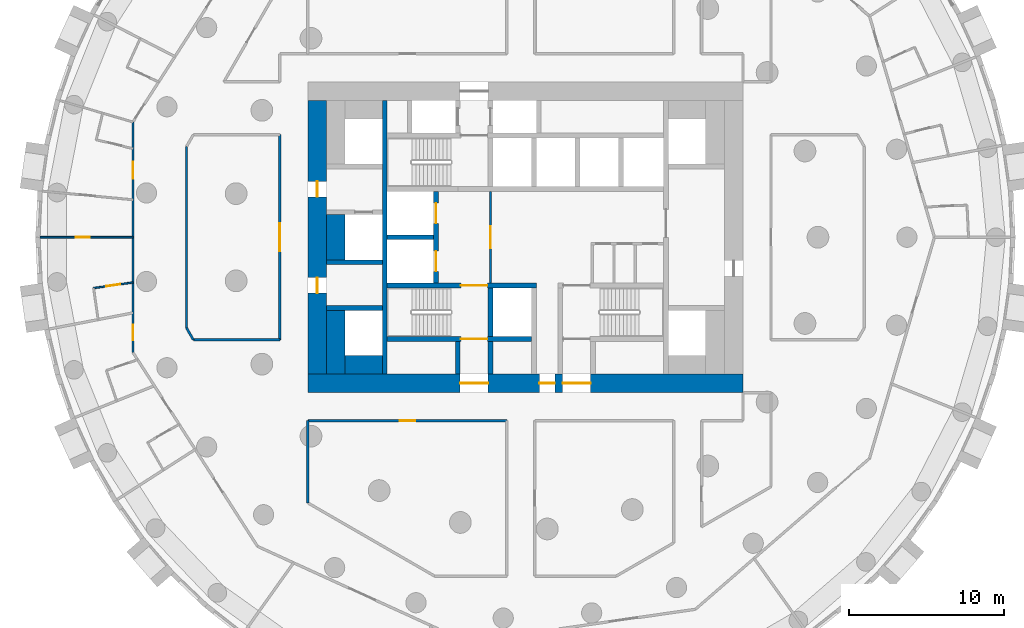
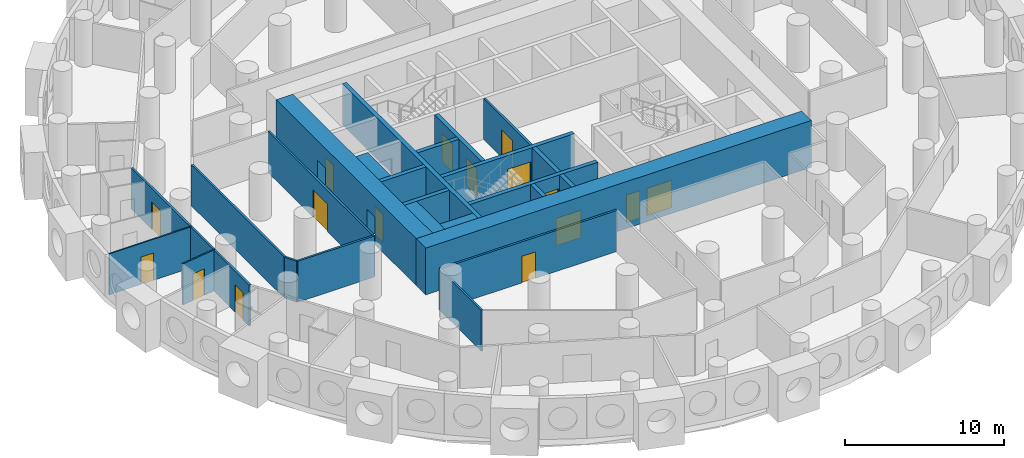
# One storey, part 4 of 12: 25 walls, 16 doors, 16 openings.
"""IFC4 building model written with IfcOpenShell, lengths in metres."""

from ifc_helpers import new_model, si_unit, direction, frame, frame_2d, origin, place, context, subcontext, project, spatial, rectangle, extrude, material, layer, layer_set, type_object, element, fill, save


model = new_model("IFC4")

# Units and contexts
model_context = context("Model", 3, precision=1e-05, world=origin(), true_north=direction((0.0, 1.0)))
body_context = subcontext(model_context, "Body", "Model", "MODEL_VIEW")
ifc_project = project(units=[si_unit("LENGTHUNIT", "METRE"), si_unit("AREAUNIT", "SQUARE_METRE"), si_unit("VOLUMEUNIT", "CUBIC_METRE"), si_unit("PLANEANGLEUNIT", "RADIAN"), si_unit("MASSUNIT", "GRAM", prefix="KILO")], contexts=[model_context])

# Site, building, storey
site_placement = place(None, origin())
site = spatial("IfcSite", under=ifc_project, at=site_placement, CompositionType="ELEMENT")
building_placement = place(site_placement, origin())
building = spatial("IfcBuilding", under=site, at=building_placement, Name="Tracery Tower", CompositionType="ELEMENT")
storey_placement = place(building_placement, frame((0.0, 0.0, 103.800048828125)))
storey = spatial("IfcBuildingStorey", under=building, at=storey_placement, Name="L26", CompositionType="ELEMENT", Elevation=103.800048828125)

# Wall, opening, door
ifc_material_1 = material(Name="Plasterboard on steel studs", Category="steel")
ifc_layer_1 = layer(ifc_material_1, 0.14990234375)
ifc_layer_set_1 = layer_set([ifc_layer_1], Name="Core lobby partition 150")
wall_type_1 = type_object("IfcWallType", Name="Core lobby partition 150", PredefinedType="SOLIDWALL", material=ifc_layer_set_1)
wall_1_placement = place(storey_placement, frame((-2.25, -2.949951171875, 0.0), z_axis=(0.0, 0.0, 1.0), x_axis=(0.0, 1.0, 0.0)))
wall_1 = element("IfcWall", 1, at=wall_1_placement, inside=storey, type_object=wall_type_1, Name="L26 FF lobby E", PredefinedType="SOLIDWALL", context=body_context, shape_type="SweptSolid", body=[
    extrude(rectangle(XDim=5.89990234375, YDim=0.14990234375, at=frame_2d((2.949951171875, 0.0))), origin(), (0.0, 0.0, 1.0), 3.14990234375),
])
opening_1_placement = place(wall_1_placement, frame((2.25, 0.0, 0.0)))
opening_1 = element("IfcOpeningElement", 2, at=opening_1_placement, cuts=wall_1, Name="Opening KD8", PredefinedType="OPENING", context=body_context, shape_type="SweptSolid", body=[
    extrude(rectangle(XDim=1.39990234375, YDim=2.10009765625, at=frame_2d((0.699951171875, 1.050048828125))), frame((0.0, 0.074951171875, 0.0), z_axis=(0.0, -1.0, 0.0), x_axis=(1.0, 0.0, 0.0)), (0.0, 0.0, 1.0), 0.14990234375),
])
ifc_material_2 = material(Name="Steel fire door", Category="steel")
door_type_1 = type_object("IfcDoorType", Name="Core lobby door 1400 double", OperationType="NOTDEFINED", PredefinedType="DOOR", material=ifc_material_2)
door_1_placement = place(opening_1_placement, origin())
door_1 = element("IfcDoor", 3, at=door_1_placement, inside=storey, type_object=door_type_1, Name="Fire-fighting lobby door", OperationType="DOUBLE_DOOR_SINGLE_SWING", OverallHeight=2.10009765625, OverallWidth=1.39990234375, PredefinedType="DOOR", context=body_context, shape_type="SweptSolid", body=[
    extrude(rectangle(XDim=1.39990234375, YDim=2.10009765625, at=frame_2d((0.699951171875, 1.050048828125))), frame((0.0, 0.02490234375, 0.0), z_axis=(0.0, -1.0, 0.0), x_axis=(1.0, 0.0, 0.0)), (0.0, 0.0, 1.0), 0.050048828125),
])
fill(opening_1, door_1)

# Walls
ifc_material_3 = material(Name="Concrete C60/75", Category="concrete")
ifc_layer_2 = layer(ifc_material_3, 1.199951171875)
ifc_layer_set_2 = layer_set([ifc_layer_2], Name="Core strip wall 1200 C60")
wall_type_2 = type_object("IfcWallType", Name="Core strip wall 1200 C60", PredefinedType="SOLIDWALL", material=ifc_layer_set_2)
wall_2_placement = place(storey_placement, frame((-12.199951171875, -8.800048828125, 0.0), z_axis=(0.0, 0.0, 1.0), x_axis=(0.0, 1.0, 0.0)))
element("IfcWall", 4, at=wall_2_placement, inside=storey, type_object=wall_type_2, Name="L26 wing strip -1 -9.4", PredefinedType="SOLIDWALL", context=body_context, shape_type="SweptSolid", body=[
    extrude(rectangle(XDim=4.10009765625, YDim=1.199951171875, at=frame_2d((2.050048828125, 0.0))), origin(), (0.0, 0.0, 1.0), 3.14990234375),
])
wall_3_placement = place(storey_placement, frame((-12.199951171875, -1.449951171875, 0.0), z_axis=(0.0, 0.0, 1.0), x_axis=(0.0, 1.0, 0.0)))
element("IfcWall", 5, at=wall_3_placement, inside=storey, type_object=wall_type_2, Name="L26 wing strip -1 -1.6", PredefinedType="SOLIDWALL", context=body_context, shape_type="SweptSolid", body=[
    extrude(rectangle(XDim=2.89990234375, YDim=1.199951171875, at=frame_2d((1.449951171875, 0.0))), origin(), (0.0, 0.0, 1.0), 3.14990234375),
])
wall_4_placement = place(storey_placement, frame((-11.60009765625, -8.199951171875, 0.0), z_axis=(0.0, 0.0, 1.0), x_axis=(1.0, 0.0, 0.0)))
element("IfcWall", 6, at=wall_4_placement, inside=storey, type_object=wall_type_2, Name="L26 wing corner -1 -8.2", PredefinedType="SOLIDWALL", context=body_context, shape_type="SweptSolid", body=[
    extrude(rectangle(XDim=2.400146484375, YDim=1.199951171875, at=frame_2d((1.2001953125, 0.0))), origin(), (0.0, 0.0, 1.0), 3.14990234375),
])

# Wall, openings, doors
ifc_material_4 = material(Name="Concrete C60/75", Category="concrete")
ifc_layer_3 = layer(ifc_material_4, 1.199951171875)
ifc_layer_set_3 = layer_set([ifc_layer_3], Name="Core wall 1200 C60")
wall_type_3 = type_object("IfcWallType", Name="Core wall 1200 C60", PredefinedType="SOLIDWALL", material=ifc_layer_set_3)
wall_5_placement = place(storey_placement, frame((-14.0, -9.39990234375, 0.0), z_axis=(0.0, 0.0, 1.0), x_axis=(1.0, 0.0, 0.0)))
wall_5 = element("IfcWall", 7, at=wall_5_placement, inside=storey, type_object=wall_type_3, Name="L26 outer S", PredefinedType="SOLIDWALL", context=body_context, shape_type="SweptSolid", body=[
    extrude(rectangle(XDim=28.0, YDim=1.199951171875, at=frame_2d((14.0, 0.0))), origin(), (0.0, 0.0, 1.0), 3.599853515625),
])
opening_2_placement = place(wall_5_placement, frame((14.89990234375, 0.0, 0.0)))
opening_2 = element("IfcOpeningElement", 8, at=opening_2_placement, cuts=wall_5, Name="Opening KD16", PredefinedType="OPENING", context=body_context, shape_type="SweptSolid", body=[
    extrude(rectangle(XDim=1.0, YDim=2.10009765625, at=frame_2d((0.5, 1.050048828125))), frame((0.0, 0.60009765625, 0.0), z_axis=(0.0, -1.0, 0.0), x_axis=(1.0, 0.0, 0.0)), (0.0, 0.0, 1.0), 1.199951171875),
])
opening_3_placement = place(wall_5_placement, frame((9.800048828125, 0.0, 0.0)))
opening_3 = element("IfcOpeningElement", 9, at=opening_3_placement, cuts=wall_5, Name="Opening KD13", PredefinedType="OPENING", context=body_context, shape_type="SweptSolid", body=[
    extrude(rectangle(XDim=1.800048828125, YDim=2.10009765625, at=frame_2d((0.89990234375, 1.050048828125))), frame((0.0, 0.60009765625, 0.0), z_axis=(0.0, -1.0, 0.0), x_axis=(1.0, 0.0, 0.0)), (0.0, 0.0, 1.0), 1.199951171875),
])
opening_4_placement = place(wall_5_placement, frame((16.39990234375, 0.0, 0.0)))
opening_4 = element("IfcOpeningElement", 10, at=opening_4_placement, cuts=wall_5, Name="Opening KD13", PredefinedType="OPENING", context=body_context, shape_type="SweptSolid", body=[
    extrude(rectangle(XDim=1.800048828125, YDim=2.10009765625, at=frame_2d((0.89990234375, 1.050048828125))), frame((0.0, 0.60009765625, 0.0), z_axis=(0.0, -1.0, 0.0), x_axis=(1.0, 0.0, 0.0)), (0.0, 0.0, 1.0), 1.199951171875),
])
ifc_material_5 = material(Name="Steel fire door", Category="steel")
door_type_2 = type_object("IfcDoorType", Name="Core exit door 1000", OperationType="NOTDEFINED", PredefinedType="DOOR", material=ifc_material_5)
door_2_placement = place(opening_2_placement, origin())
door_2 = element("IfcDoor", 11, at=door_2_placement, inside=storey, type_object=door_type_2, Name="Core exit door", OperationType="SINGLE_SWING_LEFT", OverallHeight=2.10009765625, OverallWidth=1.0, PredefinedType="DOOR", context=body_context, shape_type="SweptSolid", body=[
    extrude(rectangle(XDim=1.0, YDim=2.10009765625, at=frame_2d((0.5, 1.050048828125))), frame((0.0, 0.02490234375, 0.0), z_axis=(0.0, -1.0, 0.0), x_axis=(1.0, 0.0, 0.0)), (0.0, 0.0, 1.0), 0.050048828125),
])
fill(opening_2, door_2)
ifc_material_6 = material(Name="Steel fire door", Category="steel")
door_type_3 = type_object("IfcDoorType", Name="Core exit door 1800 double", OperationType="NOTDEFINED", PredefinedType="DOOR", material=ifc_material_6)
door_3_placement = place(opening_3_placement, origin())
door_3 = element("IfcDoor", 12, at=door_3_placement, inside=storey, type_object=door_type_3, Name="Core exit door", OperationType="DOUBLE_DOOR_SINGLE_SWING", OverallHeight=2.10009765625, OverallWidth=1.800048828125, PredefinedType="DOOR", context=body_context, shape_type="SweptSolid", body=[
    extrude(rectangle(XDim=1.800048828125, YDim=2.10009765625, at=frame_2d((0.89990234375, 1.050048828125))), frame((0.0, 0.02490234375, 0.0), z_axis=(0.0, -1.0, 0.0), x_axis=(1.0, 0.0, 0.0)), (0.0, 0.0, 1.0), 0.050048828125),
])
fill(opening_3, door_3)
door_4_placement = place(opening_4_placement, origin())
door_4 = element("IfcDoor", 13, at=door_4_placement, inside=storey, type_object=door_type_3, Name="Core exit door", OperationType="DOUBLE_DOOR_SINGLE_SWING", OverallHeight=2.10009765625, OverallWidth=1.800048828125, PredefinedType="DOOR", context=body_context, shape_type="SweptSolid", body=[
    extrude(rectangle(XDim=1.800048828125, YDim=2.10009765625, at=frame_2d((0.89990234375, 1.050048828125))), frame((0.0, 0.02490234375, 0.0), z_axis=(0.0, -1.0, 0.0), x_axis=(1.0, 0.0, 0.0)), (0.0, 0.0, 1.0), 0.050048828125),
])
fill(opening_4, door_4)

wall_6_placement = place(storey_placement, frame((-13.39990234375, -8.800048828125, 0.0), z_axis=(0.0, 0.0, 1.0), x_axis=(0.0, 1.0, 0.0)))
wall_6 = element("IfcWall", 14, at=wall_6_placement, inside=storey, type_object=wall_type_3, Name="L26 outer W", PredefinedType="SOLIDWALL", context=body_context, shape_type="SweptSolid", body=[
    extrude(rectangle(XDim=17.60009765625, YDim=1.199951171875, at=frame_2d((8.800048828125, 0.0))), origin(), (0.0, 0.0, 1.0), 3.599853515625),
])
opening_5_placement = place(wall_6_placement, frame((5.199951171875, 0.0, 0.0)))
opening_5 = element("IfcOpeningElement", 15, at=opening_5_placement, cuts=wall_6, Name="Opening KD18", PredefinedType="OPENING", context=body_context, shape_type="SweptSolid", body=[
    extrude(rectangle(XDim=1.0, YDim=2.10009765625, at=frame_2d((0.5, 1.050048828125))), frame((0.0, 0.60009765625, 0.0), z_axis=(0.0, -1.0, 0.0), x_axis=(1.0, 0.0, 0.0)), (0.0, 0.0, 1.0), 1.199951171875),
])
opening_6_placement = place(wall_6_placement, frame((11.39990234375, 0.0, 0.0)))
opening_6 = element("IfcOpeningElement", 16, at=opening_6_placement, cuts=wall_6, Name="Opening KD18", PredefinedType="OPENING", context=body_context, shape_type="SweptSolid", body=[
    extrude(rectangle(XDim=1.0, YDim=2.10009765625, at=frame_2d((0.5, 1.050048828125))), frame((0.0, 0.60009765625, 0.0), z_axis=(0.0, -1.0, 0.0), x_axis=(1.0, 0.0, 0.0)), (0.0, 0.0, 1.0), 1.199951171875),
])
door_5_placement = place(opening_5_placement, origin())
door_5 = element("IfcDoor", 17, at=door_5_placement, inside=storey, type_object=door_type_2, Name="Core exit door", OperationType="DOUBLE_DOOR_SINGLE_SWING", OverallHeight=2.10009765625, OverallWidth=1.0, PredefinedType="DOOR", context=body_context, shape_type="SweptSolid", body=[
    extrude(rectangle(XDim=1.0, YDim=2.10009765625, at=frame_2d((0.5, 1.050048828125))), frame((0.0, 0.02490234375, 0.0), z_axis=(0.0, -1.0, 0.0), x_axis=(1.0, 0.0, 0.0)), (0.0, 0.0, 1.0), 0.050048828125),
])
fill(opening_5, door_5)
door_6_placement = place(opening_6_placement, origin())
door_6 = element("IfcDoor", 18, at=door_6_placement, inside=storey, type_object=door_type_2, Name="Core exit door", OperationType="DOUBLE_DOOR_SINGLE_SWING", OverallHeight=2.10009765625, OverallWidth=1.0, PredefinedType="DOOR", context=body_context, shape_type="SweptSolid", body=[
    extrude(rectangle(XDim=1.0, YDim=2.10009765625, at=frame_2d((0.5, 1.050048828125))), frame((0.0, 0.02490234375, 0.0), z_axis=(0.0, -1.0, 0.0), x_axis=(1.0, 0.0, 0.0)), (0.0, 0.0, 1.0), 0.050048828125),
])
fill(opening_6, door_6)

# Wall, opening, door
ifc_material_7 = material(Name="Plasterboard on steel studs", Category="steel")
ifc_layer_4 = layer(ifc_material_7, 0.10009765625)
ifc_layer_set_4 = layer_set([ifc_layer_4], Name="Partition 100 stud")
wall_type_4 = type_object("IfcWallType", Name="Partition 100 stud", PredefinedType="PARTITIONING", material=ifc_layer_set_4)
wall_7_placement = place(storey_placement, frame((-31.22412109375, 0.0, 0.0), z_axis=(0.0, 0.0, 1.0), x_axis=(1.0, 0.0, 0.0)))
wall_7 = element("IfcWall", 19, at=wall_7_placement, inside=storey, type_object=wall_type_4, Name="Stud partition RA8-099", PredefinedType="PARTITIONING", context=body_context, shape_type="SweptSolid", body=[
    extrude(rectangle(XDim=5.97119140625, YDim=0.10009765625, at=frame_2d((2.985595703125, 0.0))), origin(), (0.0, 0.0, 1.0), 3.14990234375),
])
opening_7_placement = place(wall_7_placement, frame((2.302001953125, 0.0, 0.0)))
opening_7 = element("IfcOpeningElement", 20, at=opening_7_placement, cuts=wall_7, Name="Opening RA8-38", PredefinedType="OPENING", context=body_context, shape_type="SweptSolid", body=[
    extrude(rectangle(XDim=0.89990234375, YDim=2.10009765625, at=frame_2d((0.449951171875, 1.050048828125))), frame((0.0, 0.050048828125, 0.0), z_axis=(0.0, -1.0, 0.0), x_axis=(1.0, 0.0, 0.0)), (0.0, 0.0, 1.0), 0.10009765625),
])
ifc_material_8 = material(Name="Timber door leaf", Category="wood")
door_type_4 = type_object("IfcDoorType", Name="Door bedroom 900", OperationType="NOTDEFINED", PredefinedType="DOOR", material=ifc_material_8)
door_7_placement = place(opening_7_placement, origin())
door_7 = element("IfcDoor", 21, at=door_7_placement, inside=storey, type_object=door_type_4, Name="Bedroom door RA8-38", OperationType="SINGLE_SWING_RIGHT", OverallHeight=2.10009765625, OverallWidth=0.89990234375, PredefinedType="DOOR", context=body_context, shape_type="SweptSolid", body=[
    extrude(rectangle(XDim=0.89990234375, YDim=2.10009765625, at=frame_2d((0.449951171875, 1.050048828125))), frame((0.0, 0.02490234375, 0.0), z_axis=(0.0, -1.0, 0.0), x_axis=(1.0, 0.0, 0.0)), (0.0, 0.0, 1.0), 0.050048828125),
])
fill(opening_7, door_7)

ifc_material_9 = material(Name="Plasterboard on steel studs", Category="steel")
ifc_layer_5 = layer(ifc_material_9, 0.10009765625)
ifc_layer_set_5 = layer_set([ifc_layer_5], Name="Partition 100 wet wall")
wall_type_5 = type_object("IfcWallType", Name="Partition 100 wet wall", PredefinedType="PARTITIONING", material=ifc_layer_set_5)
wall_8_placement = place(storey_placement, frame((-27.784912109375, -3.27294921875, 0.0), z_axis=(0.0, 0.0, 1.0), x_axis=(0.989823118164, 0.142303178978, 0.0)))
wall_8 = element("IfcWall", 22, at=wall_8_placement, inside=storey, type_object=wall_type_5, Name="Wet wall RA8-103", PredefinedType="PARTITIONING", context=body_context, shape_type="SweptSolid", body=[
    extrude(rectangle(XDim=2.55810546875, YDim=0.10009765625, at=frame_2d((1.279052734375, 0.0))), origin(), (0.0, 0.0, 1.0), 3.14990234375),
])
opening_8_placement = place(wall_8_placement, frame((0.8291015625, 0.0, 0.0)))
opening_8 = element("IfcOpeningElement", 23, at=opening_8_placement, cuts=wall_8, Name="Opening RA8-39", PredefinedType="OPENING", context=body_context, shape_type="SweptSolid", body=[
    extrude(rectangle(XDim=0.89990234375, YDim=2.0400390625, at=frame_2d((0.449951171875, 1.02001953125))), frame((0.0, 0.050048828125, 0.0), z_axis=(0.0, -1.0, 0.0), x_axis=(1.0, 0.0, 0.0)), (0.0, 0.0, 1.0), 0.10009765625),
])
ifc_material_10 = material(Name="Timber door leaf", Category="wood")
door_type_5 = type_object("IfcDoorType", Name="Door en-suite 900", OperationType="NOTDEFINED", PredefinedType="DOOR", material=ifc_material_10)
door_8_placement = place(opening_8_placement, origin())
door_8 = element("IfcDoor", 24, at=door_8_placement, inside=storey, type_object=door_type_5, Name="En-suite door RA8-39", OperationType="SINGLE_SWING_LEFT", OverallHeight=2.0400390625, OverallWidth=0.89990234375, PredefinedType="DOOR", context=body_context, shape_type="SweptSolid", body=[
    extrude(rectangle(XDim=0.89990234375, YDim=2.0400390625, at=frame_2d((0.449951171875, 1.02001953125))), frame((0.0, 0.02490234375, 0.0), z_axis=(0.0, -1.0, 0.0), x_axis=(1.0, 0.0, 0.0)), (0.0, 0.0, 1.0), 0.050048828125),
])
fill(opening_8, door_8)

ifc_material_11 = material(Name="Plasterboard on steel studs", Category="steel")
ifc_layer_6 = layer(ifc_material_11, 0.14990234375)
ifc_layer_set_6 = layer_set([ifc_layer_6], Name="Partition 150 corridor wall")
wall_type_6 = type_object("IfcWallType", Name="Partition 150 corridor wall", PredefinedType="PARTITIONING", material=ifc_layer_set_6)
wall_9_placement = place(storey_placement, frame((-14.00390625, -11.800048828125, 0.0), z_axis=(0.0, 0.0, 1.0), x_axis=(1.0, 0.0, 0.0)))
wall_9 = element("IfcWall", 25, at=wall_9_placement, inside=storey, type_object=wall_type_6, Name="Corridor wall RA8-006", PredefinedType="PARTITIONING", context=body_context, shape_type="SweptSolid", body=[
    extrude(rectangle(XDim=12.81591796875, YDim=0.14990234375, at=frame_2d((6.407958984375, 0.0))), origin(), (0.0, 0.0, 1.0), 3.14990234375),
])
opening_9_placement = place(wall_9_placement, frame((5.907958984375, 0.0, 0.0)))
opening_9 = element("IfcOpeningElement", 26, at=opening_9_placement, cuts=wall_9, Name="Opening RA8-04", PredefinedType="OPENING", context=body_context, shape_type="SweptSolid", body=[
    extrude(rectangle(XDim=1.0, YDim=2.0400390625, at=frame_2d((0.5, 1.02001953125))), frame((0.0, 0.074951171875, 0.0), z_axis=(0.0, -1.0, 0.0), x_axis=(1.0, 0.0, 0.0)), (0.0, 0.0, 1.0), 0.14990234375),
])
ifc_material_12 = material(Name="Timber door leaf", Category="wood")
door_type_6 = type_object("IfcDoorType", Name="Door communal room 1000", OperationType="NOTDEFINED", PredefinedType="DOOR", material=ifc_material_12)
door_9_placement = place(opening_9_placement, origin())
door_9 = element("IfcDoor", 27, at=door_9_placement, inside=storey, type_object=door_type_6, Name="Communal room door RA8-04", OperationType="SINGLE_SWING_RIGHT", OverallHeight=2.0400390625, OverallWidth=1.0, PredefinedType="DOOR", context=body_context, shape_type="SweptSolid", body=[
    extrude(rectangle(XDim=1.0, YDim=2.0400390625, at=frame_2d((0.5, 1.02001953125))), frame((0.0, 0.02490234375, 0.0), z_axis=(0.0, -1.0, 0.0), x_axis=(1.0, 0.0, 0.0)), (0.0, 0.0, 1.0), 0.050048828125),
])
fill(opening_9, door_9)

wall_10_placement = place(storey_placement, frame((-15.800048828125, -6.60400390625, 0.0), z_axis=(0.0, 0.0, 1.0), x_axis=(0.0, 1.0, 0.0)))
wall_10 = element("IfcWall", 28, at=wall_10_placement, inside=storey, type_object=wall_type_6, Name="Corridor wall RA8-013", PredefinedType="PARTITIONING", context=body_context, shape_type="SweptSolid", body=[
    extrude(rectangle(XDim=13.2080078125, YDim=0.14990234375, at=frame_2d((6.60400390625, 0.0))), origin(), (0.0, 0.0, 1.0), 3.14990234375),
])
opening_10_placement = place(wall_10_placement, frame((5.7041015625, 0.0, 0.0)))
opening_10 = element("IfcOpeningElement", 29, at=opening_10_placement, cuts=wall_10, Name="Opening RA8-08", PredefinedType="OPENING", context=body_context, shape_type="SweptSolid", body=[
    extrude(rectangle(XDim=1.800048828125, YDim=2.10009765625, at=frame_2d((0.89990234375, 1.050048828125))), frame((0.0, 0.074951171875, 0.0), z_axis=(0.0, -1.0, 0.0), x_axis=(1.0, 0.0, 0.0)), (0.0, 0.0, 1.0), 0.14990234375),
])
ifc_material_13 = material(Name="Timber door leaf", Category="wood")
door_type_7 = type_object("IfcDoorType", Name="Door double lounge 1800", OperationType="NOTDEFINED", PredefinedType="DOOR", material=ifc_material_13)
door_10_placement = place(opening_10_placement, origin())
door_10 = element("IfcDoor", 30, at=door_10_placement, inside=storey, type_object=door_type_7, Name="Double lounge door RA8-08", OperationType="DOUBLE_DOOR_SINGLE_SWING", OverallHeight=2.10009765625, OverallWidth=1.800048828125, PredefinedType="DOOR", context=body_context, shape_type="SweptSolid", body=[
    extrude(rectangle(XDim=1.800048828125, YDim=2.10009765625, at=frame_2d((0.89990234375, 1.050048828125))), frame((0.0, 0.02490234375, 0.0), z_axis=(0.0, -1.0, 0.0), x_axis=(1.0, 0.0, 0.0)), (0.0, 0.0, 1.0), 0.050048828125),
])
fill(opening_10, door_10)

# Walls
wall_11_placement = place(storey_placement, frame((-14.0, -17.092041015625, 0.0), z_axis=(0.0, 0.0, 1.0), x_axis=(0.0, 1.0, 0.0)))
element("IfcWall", 31, at=wall_11_placement, inside=storey, type_object=wall_type_6, Name="Corridor wall RA8-037", PredefinedType="PARTITIONING", context=body_context, shape_type="SweptSolid", body=[
    extrude(rectangle(XDim=5.2919921875, YDim=0.14990234375, at=frame_2d((2.64599609375, 0.0))), origin(), (0.0, 0.0, 1.0), 3.14990234375),
])
wall_12_placement = place(storey_placement, frame((-21.802001953125, -5.842041015625, 0.0), z_axis=(0.0, 0.0, 1.0), x_axis=(0.0, 1.0, 0.0)))
element("IfcWall", 32, at=wall_12_placement, inside=storey, type_object=wall_type_6, Name="Corridor wall RA8-040", PredefinedType="PARTITIONING", context=body_context, shape_type="SweptSolid", body=[
    extrude(rectangle(XDim=11.68408203125, YDim=0.14990234375, at=frame_2d((5.842041015625, 0.0))), origin(), (0.0, 0.0, 1.0), 3.14990234375),
])
wall_13_placement = place(storey_placement, frame((-21.802001953125, -5.842041015625, 0.0), z_axis=(0.0, 0.0, 1.0), x_axis=(0.500277597875, -0.865865073245, 0.0)))
element("IfcWall", 33, at=wall_13_placement, inside=storey, type_object=wall_type_6, Name="Corridor wall RA8-041", PredefinedType="PARTITIONING", context=body_context, shape_type="SweptSolid", body=[
    extrude(rectangle(XDim=0.87548828125, YDim=0.14990234375, at=frame_2d((0.437744140625, 0.0))), origin(), (0.0, 0.0, 1.0), 3.14990234375),
])
wall_14_placement = place(storey_placement, frame((-21.364013671875, -6.60009765625, 0.0), z_axis=(0.0, 0.0, 1.0), x_axis=(1.0, 0.0, 0.0)))
element("IfcWall", 34, at=wall_14_placement, inside=storey, type_object=wall_type_6, Name="Corridor wall RA8-042", PredefinedType="PARTITIONING", context=body_context, shape_type="SweptSolid", body=[
    extrude(rectangle(XDim=5.56396484375, YDim=0.14990234375, at=frame_2d((2.781982421875, 0.0))), origin(), (0.0, 0.0, 1.0), 3.14990234375),
])

# Wall, openings, doors
wall_15_placement = place(storey_placement, frame((-25.2529296875, -7.4150390625, 0.0), z_axis=(0.0, 0.0, 1.0), x_axis=(0.0, 1.0, 0.0)))
wall_15 = element("IfcWall", 35, at=wall_15_placement, inside=storey, type_object=wall_type_6, Name="Corridor wall RA8-045", PredefinedType="PARTITIONING", context=body_context, shape_type="SweptSolid", body=[
    extrude(rectangle(XDim=14.830078125, YDim=0.14990234375, at=frame_2d((7.4150390625, 0.0))), origin(), (0.0, 0.0, 1.0), 3.14990234375),
])
opening_11_placement = place(wall_15_placement, frame((11.169921875, 0.0, 0.0)))
opening_11 = element("IfcOpeningElement", 36, at=opening_11_placement, cuts=wall_15, Name="Opening RA8-33", PredefinedType="OPENING", context=body_context, shape_type="SweptSolid", body=[
    extrude(rectangle(XDim=1.10009765625, YDim=2.10009765625, at=frame_2d((0.550048828125, 1.050048828125))), frame((0.0, 0.074951171875, 0.0), z_axis=(0.0, -1.0, 0.0), x_axis=(1.0, 0.0, 0.0)), (0.0, 0.0, 1.0), 0.14990234375),
])
opening_12_placement = place(wall_15_placement, frame((0.77587890625, 0.0, 0.0)))
opening_12 = element("IfcOpeningElement", 37, at=opening_12_placement, cuts=wall_15, Name="Opening RA8-41", PredefinedType="OPENING", context=body_context, shape_type="SweptSolid", body=[
    extrude(rectangle(XDim=1.0, YDim=2.10009765625, at=frame_2d((0.5, 1.050048828125))), frame((0.0, 0.074951171875, 0.0), z_axis=(0.0, -1.0, 0.0), x_axis=(1.0, 0.0, 0.0)), (0.0, 0.0, 1.0), 0.14990234375),
])
ifc_material_14 = material(Name="Timber door leaf", Category="wood")
door_type_8 = type_object("IfcDoorType", Name="Door cluster entrance 1100", OperationType="NOTDEFINED", PredefinedType="DOOR", material=ifc_material_14)
door_11_placement = place(opening_11_placement, origin())
door_11 = element("IfcDoor", 38, at=door_11_placement, inside=storey, type_object=door_type_8, Name="Cluster entrance door RA8-33", OperationType="SINGLE_SWING_RIGHT", OverallHeight=2.10009765625, OverallWidth=1.10009765625, PredefinedType="DOOR", context=body_context, shape_type="SweptSolid", body=[
    extrude(rectangle(XDim=1.10009765625, YDim=2.10009765625, at=frame_2d((0.550048828125, 1.050048828125))), frame((0.0, 0.02490234375, 0.0), z_axis=(0.0, -1.0, 0.0), x_axis=(1.0, 0.0, 0.0)), (0.0, 0.0, 1.0), 0.050048828125),
])
fill(opening_11, door_11)
ifc_material_15 = material(Name="Timber door leaf", Category="wood")
door_type_9 = type_object("IfcDoorType", Name="Door unit entrance 1000", OperationType="NOTDEFINED", PredefinedType="DOOR", material=ifc_material_15)
door_12_placement = place(opening_12_placement, origin())
door_12 = element("IfcDoor", 39, at=door_12_placement, inside=storey, type_object=door_type_9, Name="Unit entrance door RA8-41", OperationType="SINGLE_SWING_RIGHT", OverallHeight=2.10009765625, OverallWidth=1.0, PredefinedType="DOOR", context=body_context, shape_type="SweptSolid", body=[
    extrude(rectangle(XDim=1.0, YDim=2.10009765625, at=frame_2d((0.5, 1.050048828125))), frame((0.0, 0.02490234375, 0.0), z_axis=(0.0, -1.0, 0.0), x_axis=(1.0, 0.0, 0.0)), (0.0, 0.0, 1.0), 0.050048828125),
])
fill(opening_12, door_12)

# Wall
ifc_material_16 = material(Name="Concrete C60/75", Category="concrete")
ifc_layer_7 = layer(ifc_material_16, 0.300048828125)
ifc_layer_set_7 = layer_set([ifc_layer_7], Name="Shaft wall 300 C60")
wall_type_7 = type_object("IfcWallType", Name="Shaft wall 300 C60", PredefinedType="SOLIDWALL", material=ifc_layer_set_7)
wall_16_placement = place(storey_placement, frame((-8.89990234375, 0.0, 0.0), z_axis=(0.0, 0.0, 1.0), x_axis=(1.0, 0.0, 0.0)))
element("IfcWall", 40, at=wall_16_placement, inside=storey, type_object=wall_type_7, Name="L26 FF split", PredefinedType="SOLIDWALL", context=body_context, shape_type="SweptSolid", body=[
    extrude(rectangle(XDim=3.0, YDim=0.300048828125, at=frame_2d((1.5, 0.0))), origin(), (0.0, 0.0, 1.0), 3.14990234375),
])

# Wall, openings, doors
wall_17_placement = place(storey_placement, frame((-5.75, -2.949951171875, 0.0), z_axis=(0.0, 0.0, 1.0), x_axis=(0.0, 1.0, 0.0)))
wall_17 = element("IfcWall", 41, at=wall_17_placement, inside=storey, type_object=wall_type_7, Name="L26 FF doors", PredefinedType="SOLIDWALL", context=body_context, shape_type="SweptSolid", body=[
    extrude(rectangle(XDim=5.89990234375, YDim=0.300048828125, at=frame_2d((2.949951171875, 0.0))), origin(), (0.0, 0.0, 1.0), 3.14990234375),
])
opening_13_placement = place(wall_17_placement, frame((0.75, 0.0, 0.0)))
opening_13 = element("IfcOpeningElement", 42, at=opening_13_placement, cuts=wall_17, Name="Opening KD54", PredefinedType="OPENING", context=body_context, shape_type="SweptSolid", body=[
    extrude(rectangle(XDim=1.300048828125, YDim=2.10009765625, at=frame_2d((0.64990234375, 1.050048828125))), frame((0.0, 0.14990234375, 0.0), z_axis=(0.0, -1.0, 0.0), x_axis=(1.0, 0.0, 0.0)), (0.0, 0.0, 1.0), 0.300048828125),
])
opening_14_placement = place(wall_17_placement, frame((3.85009765625, 0.0, 0.0)))
opening_14 = element("IfcOpeningElement", 43, at=opening_14_placement, cuts=wall_17, Name="Opening KD55", PredefinedType="OPENING", context=body_context, shape_type="SweptSolid", body=[
    extrude(rectangle(XDim=1.300048828125, YDim=2.10009765625, at=frame_2d((0.64990234375, 1.050048828125))), frame((0.0, 0.14990234375, 0.0), z_axis=(0.0, -1.0, 0.0), x_axis=(1.0, 0.0, 0.0)), (0.0, 0.0, 1.0), 0.300048828125),
])
ifc_material_17 = material(Name="Steel fire door", Category="steel")
door_type_10 = type_object("IfcDoorType", Name="Landing door FF 1300", OperationType="NOTDEFINED", PredefinedType="DOOR", material=ifc_material_17)
door_13_placement = place(opening_13_placement, origin())
door_13 = element("IfcDoor", 44, at=door_13_placement, inside=storey, type_object=door_type_10, Name="Landing door FF1", OperationType="SLIDING_TO_LEFT", OverallHeight=2.10009765625, OverallWidth=1.300048828125, PredefinedType="DOOR", context=body_context, shape_type="SweptSolid", body=[
    extrude(rectangle(XDim=1.300048828125, YDim=2.10009765625, at=frame_2d((0.64990234375, 1.050048828125))), frame((0.0, 0.02490234375, 0.0), z_axis=(0.0, -1.0, 0.0), x_axis=(1.0, 0.0, 0.0)), (0.0, 0.0, 1.0), 0.050048828125),
])
fill(opening_13, door_13)
door_14_placement = place(opening_14_placement, origin())
door_14 = element("IfcDoor", 45, at=door_14_placement, inside=storey, type_object=door_type_10, Name="Landing door FF2", OperationType="SLIDING_TO_RIGHT", OverallHeight=2.10009765625, OverallWidth=1.300048828125, PredefinedType="DOOR", context=body_context, shape_type="SweptSolid", body=[
    extrude(rectangle(XDim=1.300048828125, YDim=2.10009765625, at=frame_2d((0.64990234375, 1.050048828125))), frame((0.0, 0.02490234375, 0.0), z_axis=(0.0, -1.0, 0.0), x_axis=(1.0, 0.0, 0.0)), (0.0, 0.0, 1.0), 0.050048828125),
])
fill(opening_14, door_14)

# Walls
wall_18_placement = place(storey_placement, frame((-4.35009765625, -8.800048828125, 0.0), z_axis=(0.0, 0.0, 1.0), x_axis=(0.0, 1.0, 0.0)))
element("IfcWall", 46, at=wall_18_placement, inside=storey, type_object=wall_type_7, Name="L26 band S -4.35", PredefinedType="SOLIDWALL", context=body_context, shape_type="SweptSolid", body=[
    extrude(rectangle(XDim=2.10009765625, YDim=0.300048828125, at=frame_2d((1.050048828125, 0.0))), origin(), (0.0, 0.0, 1.0), 3.14990234375),
])
for number, where, z_axis, x_axis, name in (
    (47, (-12.800048828125, -4.550048828125, 0.0), (0.0, 0.0, 1.0), (1.0, 0.0, 0.0), "L26 wing shaft wall -1 -4.55"),
    (48, (-12.800048828125, -1.60009765625, 0.0), (0.0, 0.0, 1.0), (1.0, 0.0, 0.0), "L26 wing shaft wall -1 -1.60"),
):
    element("IfcWall", number, at=place(storey_placement, frame(where, z_axis=z_axis, x_axis=x_axis)), inside=storey, type_object=wall_type_7, Name=name, PredefinedType="SOLIDWALL", context=body_context, shape_type="SweptSolid", body=[
        extrude(rectangle(XDim=3.60009765625, YDim=0.300048828125, at=frame_2d((1.800048828125, 0.0))), origin(), (0.0, 0.0, 1.0), 3.14990234375),
    ])

# Wall, opening, door
ifc_material_18 = material(Name="Concrete C60/75", Category="concrete")
ifc_layer_8 = layer(ifc_material_18, 0.300048828125)
ifc_layer_set_8 = layer_set([ifc_layer_8], Name="Stair wall 300 C60")
wall_type_8 = type_object("IfcWallType", Name="Stair wall 300 C60", PredefinedType="SOLIDWALL", material=ifc_layer_set_8)
wall_19_placement = place(storey_placement, frame((-8.89990234375, -3.10009765625, 0.0), z_axis=(0.0, 0.0, 1.0), x_axis=(1.0, 0.0, 0.0)))
wall_19 = element("IfcWall", 49, at=wall_19_placement, inside=storey, type_object=wall_type_8, Name="L26 row S", PredefinedType="SOLIDWALL", context=body_context, shape_type="SweptSolid", body=[
    extrude(rectangle(XDim=9.599853515625, YDim=0.300048828125, at=frame_2d((4.7998046875, 0.0))), origin(), (0.0, 0.0, 1.0), 3.14990234375),
])
opening_15_placement = place(wall_19_placement, frame((4.75, 0.0, 0.0)))
opening_15 = element("IfcOpeningElement", 50, at=opening_15_placement, cuts=wall_19, Name="Opening KD3", PredefinedType="OPENING", context=body_context, shape_type="SweptSolid", body=[
    extrude(rectangle(XDim=1.699951171875, YDim=2.10009765625, at=frame_2d((0.85009765625, 1.050048828125))), frame((0.0, 0.14990234375, 0.0), z_axis=(0.0, -1.0, 0.0), x_axis=(1.0, 0.0, 0.0)), (0.0, 0.0, 1.0), 0.300048828125),
])
ifc_material_19 = material(Name="Steel fire door", Category="steel")
door_type_11 = type_object("IfcDoorType", Name="Core stair door 1700 double", OperationType="NOTDEFINED", PredefinedType="DOOR", material=ifc_material_19)
door_15_placement = place(opening_15_placement, origin())
door_15 = element("IfcDoor", 51, at=door_15_placement, inside=storey, type_object=door_type_11, Name="Stair door ST1", OperationType="DOUBLE_DOOR_SINGLE_SWING", OverallHeight=2.10009765625, OverallWidth=1.699951171875, PredefinedType="DOOR", context=body_context, shape_type="SweptSolid", body=[
    extrude(rectangle(XDim=1.699951171875, YDim=2.10009765625, at=frame_2d((0.85009765625, 1.050048828125))), frame((0.0, 0.02490234375, 0.0), z_axis=(0.0, -1.0, 0.0), x_axis=(1.0, 0.0, 0.0)), (0.0, 0.0, 1.0), 0.050048828125),
])
fill(opening_15, door_15)

# Walls
wall_20_placement = place(storey_placement, frame((-2.25, -6.39990234375, 0.0), z_axis=(0.0, 0.0, 1.0), x_axis=(0.0, 1.0, 0.0)))
element("IfcWall", 52, at=wall_20_placement, inside=storey, type_object=wall_type_8, Name="L26 ST1 E", PredefinedType="SOLIDWALL", context=body_context, shape_type="SweptSolid", body=[
    extrude(rectangle(XDim=3.14990234375, YDim=0.300048828125, at=frame_2d((1.574951171875, 0.0))), origin(), (0.0, 0.0, 1.0), 3.14990234375),
])
wall_21_placement = place(storey_placement, frame((-9.050048828125, -8.800048828125, 0.0), z_axis=(0.0, 0.0, 1.0), x_axis=(0.0, 1.0, 0.0)))
element("IfcWall", 53, at=wall_21_placement, inside=storey, type_object=wall_type_8, Name="L26 F wall -9", PredefinedType="SOLIDWALL", context=body_context, shape_type="SweptSolid", body=[
    extrude(rectangle(XDim=17.60009765625, YDim=0.300048828125, at=frame_2d((8.800048828125, 0.0))), origin(), (0.0, 0.0, 1.0), 3.14990234375),
])

# Wall, opening, door
wall_22_placement = place(storey_placement, frame((-8.89990234375, -6.550048828125, 0.0), z_axis=(0.0, 0.0, 1.0), x_axis=(1.0, 0.0, 0.0)))
wall_22 = element("IfcWall", 54, at=wall_22_placement, inside=storey, type_object=wall_type_8, Name="L26 F S W", PredefinedType="SOLIDWALL", context=body_context, shape_type="SweptSolid", body=[
    extrude(rectangle(XDim=9.2998046875, YDim=0.300048828125, at=frame_2d((4.64990234375, 0.0))), origin(), (0.0, 0.0, 1.0), 3.14990234375),
])
opening_16_placement = place(wall_22_placement, frame((4.75, 0.0, 0.0)))
opening_16 = element("IfcOpeningElement", 55, at=opening_16_placement, cuts=wall_22, Name="Opening KD3", PredefinedType="OPENING", context=body_context, shape_type="SweptSolid", body=[
    extrude(rectangle(XDim=1.699951171875, YDim=2.10009765625, at=frame_2d((0.85009765625, 1.050048828125))), frame((0.0, 0.14990234375, 0.0), z_axis=(0.0, -1.0, 0.0), x_axis=(1.0, 0.0, 0.0)), (0.0, 0.0, 1.0), 0.300048828125),
])
door_16_placement = place(opening_16_placement, origin())
door_16 = element("IfcDoor", 56, at=door_16_placement, inside=storey, type_object=door_type_11, Name="Stair door ST1 S", OperationType="DOUBLE_DOOR_SINGLE_SWING", OverallHeight=2.10009765625, OverallWidth=1.699951171875, PredefinedType="DOOR", context=body_context, shape_type="SweptSolid", body=[
    extrude(rectangle(XDim=1.699951171875, YDim=2.10009765625, at=frame_2d((0.85009765625, 1.050048828125))), frame((0.0, 0.02490234375, 0.0), z_axis=(0.0, -1.0, 0.0), x_axis=(1.0, 0.0, 0.0)), (0.0, 0.0, 1.0), 0.050048828125),
])
fill(opening_16, door_16)

# Wall
wall_23_placement = place(storey_placement, frame((-2.25, -8.800048828125, 0.0), z_axis=(0.0, 0.0, 1.0), x_axis=(0.0, 1.0, 0.0)))
element("IfcWall", 57, at=wall_23_placement, inside=storey, type_object=wall_type_8, Name="L26 ST1 E out", PredefinedType="SOLIDWALL", context=body_context, shape_type="SweptSolid", body=[
    extrude(rectangle(XDim=2.10009765625, YDim=0.300048828125, at=frame_2d((1.050048828125, 0.0))), origin(), (0.0, 0.0, 1.0), 3.14990234375),
])

save(model, "model.ifc")
